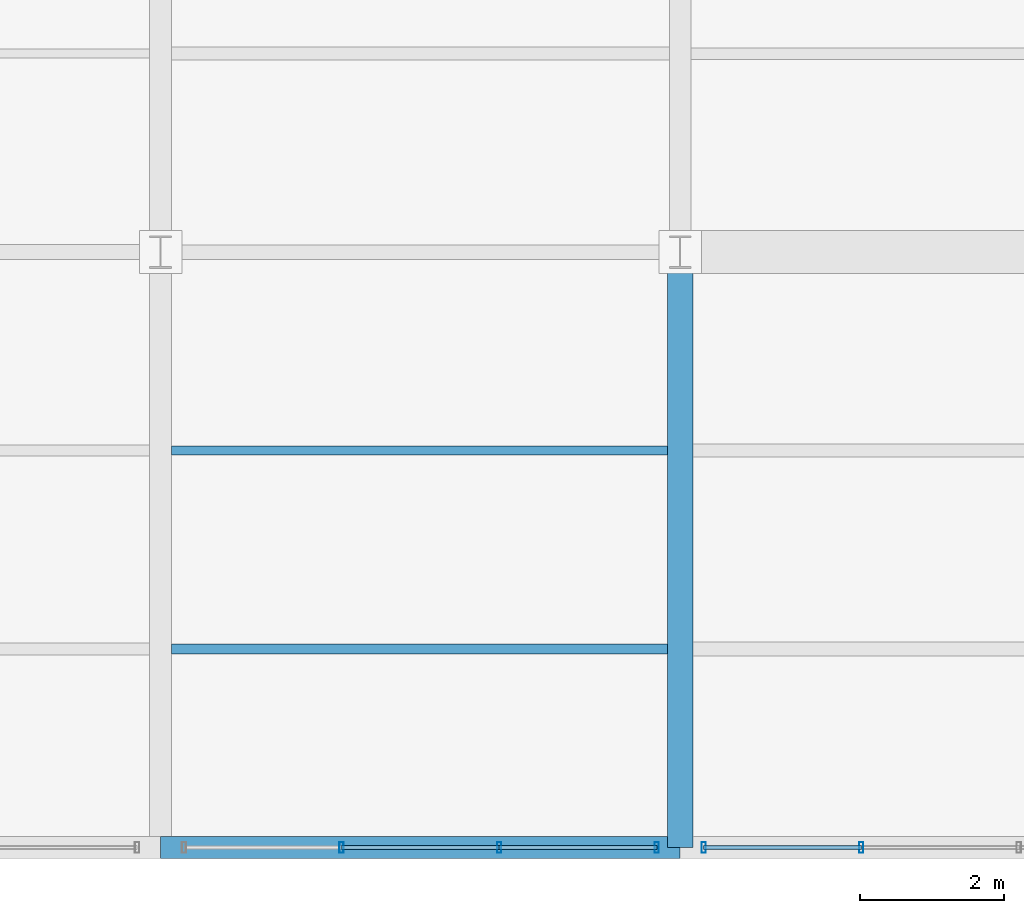
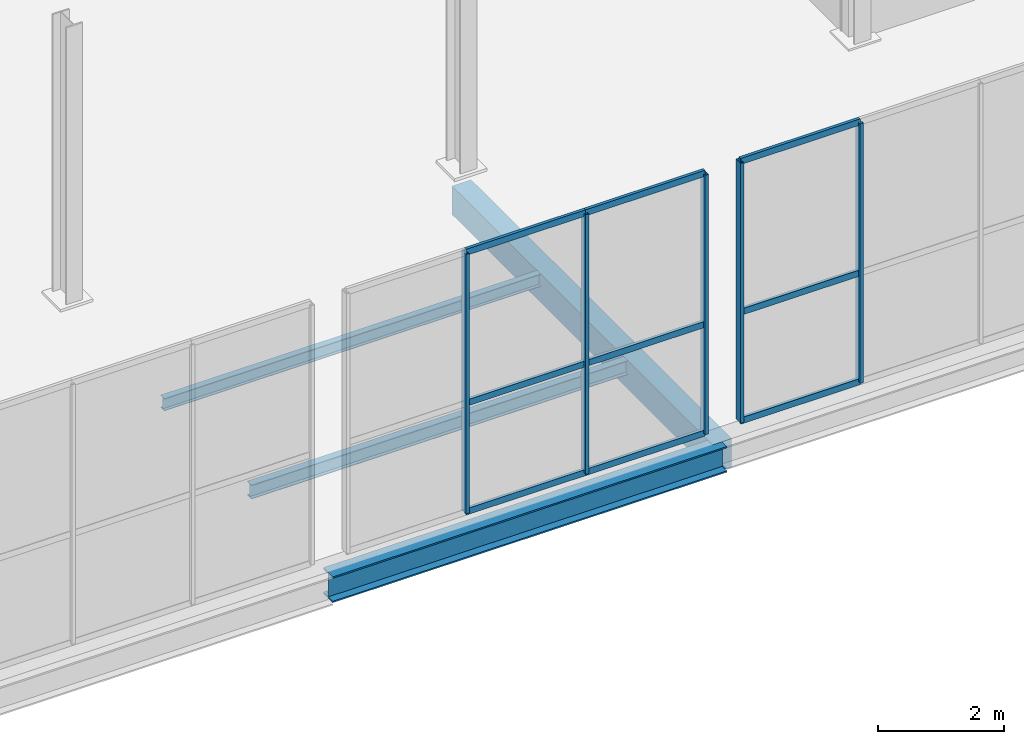
# One storey, part 30 of 147: 14 members, 4 beams, 2 elements without a shape of their own.
"""IFC4 building model written with IfcOpenShell, lengths in metres."""

from ifc_helpers import new_model, si_unit, direction, frame, origin, origin_2d, place, context, subcontext, project, spatial, rectangle, hollow_rectangle, i_section, extrude, material, layer, layer_set, material_profile, profile_set, type_object, element, aggregate, save


model = new_model("IFC4")

# Units and contexts
model_context = context("Model", 3, precision=1e-05, world=origin(), true_north=direction((0.0, 1.0)))
body_context = subcontext(model_context, "Body", "Model", "MODEL_VIEW")
ifc_project = project(units=[si_unit("LENGTHUNIT", "METRE"), si_unit("AREAUNIT", "SQUARE_METRE"), si_unit("VOLUMEUNIT", "CUBIC_METRE"), si_unit("PLANEANGLEUNIT", "RADIAN"), si_unit("MASSUNIT", "GRAM", prefix="KILO")], contexts=[model_context])

# Site, building, storey
site_placement = place(None, origin())
site = spatial("IfcSite", under=ifc_project, at=site_placement, CompositionType="ELEMENT")
building_placement = place(site_placement, origin())
building = spatial("IfcBuilding", under=site, at=building_placement, Name="Sundgate Opera House", CompositionType="ELEMENT")
storey_placement = place(building_placement, frame((0.0, 0.0, 6.0)))
storey = spatial("IfcBuildingStorey", under=building, at=storey_placement, Name="L01", CompositionType="ELEMENT", Elevation=6.0)

# Beams
ifc_material_1 = material(Name="Steel S355J2", Category="steel")
ifc_material_profile_1 = material_profile(ifc_material_1, i_section(OverallWidth=0.300048828125, OverallDepth=0.5, WebThickness=0.014404296875, FlangeThickness=0.028076171875, at=origin_2d()), Name="HEB 500")
ifc_profile_set_1 = profile_set([ifc_material_profile_1], Name="Steel S355J2")
beam_type_1 = type_object("IfcBeamType", Name="BM-GR-HEB500", PredefinedType="BEAM", material=ifc_profile_set_1)
beam_1_placement = place(storey_placement, frame((109.800048828125, 0.0, -0.550048828125), z_axis=(1.0, 0.0, 0.0), x_axis=(0.0, 1.0, 0.0)))
element("IfcBeam", 1, at=beam_1_placement, inside=storey, type_object=beam_type_1, Name="L01 Primary E-W Girder B1274", PredefinedType="BEAM", context=body_context, shape_type="SweptSolid", body=[
    extrude(i_section(OverallWidth=0.300048828125, OverallDepth=0.5, WebThickness=0.014404296875, FlangeThickness=0.028076171875, at=origin_2d()), origin(), (0.0, 0.0, 1.0), 7.199951171875),
])
ifc_material_2 = material(Name="Steel S355J2", Category="steel")
ifc_material_profile_2 = material_profile(ifc_material_2, i_section(OverallWidth=0.1201171875, OverallDepth=0.239990234375, WebThickness=0.006103515625, FlangeThickness=0.009765625, at=origin_2d()), Name="IPE 240")
ifc_profile_set_2 = profile_set([ifc_material_profile_2], Name="Steel S355J2")
beam_type_2 = type_object("IfcBeamType", Name="BM-JS-IPE240", PredefinedType="JOIST", material=ifc_profile_set_2)
beam_2_placement = place(storey_placement, frame((109.949951171875, 5.5, -0.419921875), z_axis=(1.0, 0.0, 0.0), x_axis=(0.0, 1.0, 0.0)))
element("IfcBeam", 2, at=beam_2_placement, inside=storey, type_object=beam_type_2, Name="L01 Secondary Floor Joist B1483", PredefinedType="JOIST", context=body_context, shape_type="SweptSolid", body=[
    extrude(i_section(OverallWidth=0.1201171875, OverallDepth=0.239990234375, WebThickness=0.006103515625, FlangeThickness=0.009765625, at=origin_2d()), origin(), (0.0, 0.0, 1.0), 6.875),
])
ifc_material_3 = material(Name="Steel S355J2", Category="steel")
ifc_material_profile_3 = material_profile(ifc_material_3, i_section(OverallWidth=0.135009765625, OverallDepth=0.27001953125, WebThickness=0.006591796875, FlangeThickness=0.01025390625, at=origin_2d()), Name="IPE 270")
ifc_profile_set_3 = profile_set([ifc_material_profile_3], Name="Steel S355J2")
beam_type_3 = type_object("IfcBeamType", Name="BM-JS-IPE270", PredefinedType="JOIST", material=ifc_profile_set_3)
beam_3_placement = place(storey_placement, frame((109.949951171875, 2.75, -0.43505859375), z_axis=(1.0, 0.0, 0.0), x_axis=(0.0, 1.0, 0.0)))
element("IfcBeam", 3, at=beam_3_placement, inside=storey, type_object=beam_type_3, Name="L01 Secondary Floor Joist B1482", PredefinedType="JOIST", context=body_context, shape_type="SweptSolid", body=[
    extrude(i_section(OverallWidth=0.135009765625, OverallDepth=0.27001953125, WebThickness=0.006591796875, FlangeThickness=0.01025390625, at=origin_2d()), origin(), (0.0, 0.0, 1.0), 6.875),
])
ifc_material_4 = material(Name="Concrete C35/45", Category="concrete")
ifc_material_profile_4 = material_profile(ifc_material_4, rectangle(XDim=0.35009765625, YDim=0.550048828125, at=origin_2d()), Name="RC 350x550")
ifc_profile_set_4 = profile_set([ifc_material_profile_4], Name="Concrete C35/45")
beam_type_4 = type_object("IfcBeamType", Name="BM-RC-350x550", PredefinedType="BEAM", material=ifc_profile_set_4)
beam_4_placement = place(storey_placement, frame((117.0, 0.0, -0.574951171875), z_axis=(0.0, 1.0, 0.0), x_axis=(-1.0, 0.0, 0.0)))
element("IfcBeam", 4, at=beam_4_placement, inside=storey, type_object=beam_type_4, Name="L01 Primary N-S Girder B1181", PredefinedType="BEAM", context=body_context, shape_type="SweptSolid", body=[
    extrude(rectangle(XDim=0.35009765625, YDim=0.550048828125, at=origin_2d()), origin(), (0.0, 0.0, 1.0), 8.25),
])

# Curtain wall, members
ifc_material_5 = material(Name="Anodized aluminium and low-iron glass", Category="aluminium")
ifc_layer = layer(ifc_material_5, 0.14990234375)
ifc_layer_set = layer_set([ifc_layer], Name="Anodized aluminium and low-iron glass")
curtain_wall_type = type_object("IfcCurtainWallType", Name="CW-WORKSHOP-DARK", PredefinedType="NOTDEFINED", material=ifc_layer_set)
curtain_wall_1_placement = place(storey_placement, origin())
curtain_wall_1 = element("IfcCurtainWall", 5, at=curtain_wall_1_placement, inside=storey, type_object=curtain_wall_type, Name="L01 Curtain Wall CW137", PredefinedType="NOTDEFINED")
ifc_material_6 = material(Name="Anodized aluminium EN AW-6063", Category="aluminium")
ifc_material_profile_5 = material_profile(ifc_material_6, hollow_rectangle(XDim=0.06005859375, YDim=0.14990234375, WallThickness=0.00390625, at=origin_2d()), Name="CWM 150x60x4")
ifc_profile_set_5 = profile_set([ifc_material_profile_5], Name="Anodized aluminium EN AW-6063")
member_type_1 = type_object("IfcMemberType", Name="CWM-ALU-150x60", PredefinedType="MULLION", material=ifc_profile_set_5)
member_1_placement = place(storey_placement, frame((116.675048828125, 0.0, 0.0), z_axis=(0.0, 0.0, 1.0), x_axis=(1.0, 0.0, 0.0)))
member_1 = element("IfcMember", 6, at=member_1_placement, type_object=member_type_1, Name="CW137 Mullion 1", PredefinedType="MULLION", context=body_context, shape_type="SweptSolid", body=[
    extrude(hollow_rectangle(XDim=0.06005859375, YDim=0.14990234375, WallThickness=0.00390625, at=origin_2d()), origin(), (0.0, 0.0, 1.0), 5.014892578125),
])
member_2_placement = place(storey_placement, frame((114.49169921875, 0.0, 0.0), z_axis=(0.0, 0.0, 1.0), x_axis=(1.0, 0.0, 0.0)))
member_2 = element("IfcMember", 7, at=member_2_placement, type_object=member_type_1, Name="CW137 Mullion 2", PredefinedType="MULLION", context=body_context, shape_type="SweptSolid", body=[
    extrude(hollow_rectangle(XDim=0.06005859375, YDim=0.14990234375, WallThickness=0.00390625, at=origin_2d()), origin(), (0.0, 0.0, 1.0), 5.014892578125),
])
member_3_placement = place(storey_placement, frame((112.308349609375, 0.0, 0.0), z_axis=(0.0, 0.0, 1.0), x_axis=(1.0, 0.0, 0.0)))
member_3 = element("IfcMember", 8, at=member_3_placement, type_object=member_type_1, Name="CW137 Mullion 3", PredefinedType="MULLION", context=body_context, shape_type="SweptSolid", body=[
    extrude(hollow_rectangle(XDim=0.06005859375, YDim=0.14990234375, WallThickness=0.00390625, at=origin_2d()), origin(), (0.0, 0.0, 1.0), 5.014892578125),
])

curtain_wall_2_placement = place(storey_placement, origin())
curtain_wall_2 = element("IfcCurtainWall", 9, at=curtain_wall_2_placement, inside=storey, type_object=curtain_wall_type, Name="L01 Curtain Wall CW138", PredefinedType="NOTDEFINED")
member_4_placement = place(storey_placement, frame((119.50830078125, 0.0, 0.0), z_axis=(0.0, 0.0, 1.0), x_axis=(1.0, 0.0, 0.0)))
member_4 = element("IfcMember", 10, at=member_4_placement, type_object=member_type_1, Name="CW138 Mullion 3", PredefinedType="MULLION", context=body_context, shape_type="SweptSolid", body=[
    extrude(hollow_rectangle(XDim=0.06005859375, YDim=0.14990234375, WallThickness=0.00390625, at=origin_2d()), origin(), (0.0, 0.0, 1.0), 5.014892578125),
])
member_5_placement = place(storey_placement, frame((117.324951171875, 0.0, 0.0), z_axis=(0.0, 0.0, 1.0), x_axis=(1.0, 0.0, 0.0)))
member_5 = element("IfcMember", 11, at=member_5_placement, type_object=member_type_1, Name="CW138 Mullion 4", PredefinedType="MULLION", context=body_context, shape_type="SweptSolid", body=[
    extrude(hollow_rectangle(XDim=0.06005859375, YDim=0.14990234375, WallThickness=0.00390625, at=origin_2d()), origin(), (0.0, 0.0, 1.0), 5.014892578125),
])

# Member
ifc_material_7 = material(Name="Anodized aluminium EN AW-6063", Category="aluminium")
ifc_material_profile_6 = material_profile(ifc_material_7, hollow_rectangle(XDim=0.054931640625, YDim=0.1201171875, WallThickness=0.00390625, at=origin_2d()), Name="CWT 120x55x4")
ifc_profile_set_6 = profile_set([ifc_material_profile_6], Name="Anodized aluminium EN AW-6063")
member_type_2 = type_object("IfcMemberType", Name="CWT-ALU-120x55", PredefinedType="USERDEFINED", material=ifc_profile_set_6)
member_6_placement = place(storey_placement, frame((116.675048828125, 0.0, 0.0), z_axis=(-1.0, 0.0, 0.0), x_axis=(0.0, -1.0, 0.0)))
member_6 = element("IfcMember", 12, at=member_6_placement, type_object=member_type_2, Name="CW137 Transom 1", ObjectType="TRANSOM", PredefinedType="USERDEFINED", context=body_context, shape_type="SweptSolid", body=[
    extrude(hollow_rectangle(XDim=0.054931640625, YDim=0.1201171875, WallThickness=0.00390625, at=origin_2d()), origin(), (0.0, 0.0, 1.0), 2.183349609375),
])

member_7_placement = place(storey_placement, frame((116.675048828125, 0.0, 2.10009765625), z_axis=(-1.0, 0.0, 0.0), x_axis=(0.0, -1.0, 0.0)))
member_7 = element("IfcMember", 13, at=member_7_placement, type_object=member_type_2, Name="CW137 Transom 2", ObjectType="TRANSOM", PredefinedType="USERDEFINED", context=body_context, shape_type="SweptSolid", body=[
    extrude(hollow_rectangle(XDim=0.054931640625, YDim=0.1201171875, WallThickness=0.00390625, at=origin_2d()), origin(), (0.0, 0.0, 1.0), 2.183349609375),
])

member_8_placement = place(storey_placement, frame((116.675048828125, 0.0, 5.014892578125), z_axis=(-1.0, 0.0, 0.0), x_axis=(0.0, -1.0, 0.0)))
member_8 = element("IfcMember", 14, at=member_8_placement, type_object=member_type_2, Name="CW137 Transom 3", ObjectType="TRANSOM", PredefinedType="USERDEFINED", context=body_context, shape_type="SweptSolid", body=[
    extrude(hollow_rectangle(XDim=0.054931640625, YDim=0.1201171875, WallThickness=0.00390625, at=origin_2d()), origin(), (0.0, 0.0, 1.0), 2.183349609375),
])

member_9_placement = place(storey_placement, frame((114.49169921875, 0.0, 0.0), z_axis=(-1.0, 0.0, 0.0), x_axis=(0.0, -1.0, 0.0)))
member_9 = element("IfcMember", 15, at=member_9_placement, type_object=member_type_2, Name="CW137 Transom 4", ObjectType="TRANSOM", PredefinedType="USERDEFINED", context=body_context, shape_type="SweptSolid", body=[
    extrude(hollow_rectangle(XDim=0.054931640625, YDim=0.1201171875, WallThickness=0.00390625, at=origin_2d()), origin(), (0.0, 0.0, 1.0), 2.183349609375),
])

member_10_placement = place(storey_placement, frame((114.49169921875, 0.0, 2.10009765625), z_axis=(-1.0, 0.0, 0.0), x_axis=(0.0, -1.0, 0.0)))
member_10 = element("IfcMember", 16, at=member_10_placement, type_object=member_type_2, Name="CW137 Transom 5", ObjectType="TRANSOM", PredefinedType="USERDEFINED", context=body_context, shape_type="SweptSolid", body=[
    extrude(hollow_rectangle(XDim=0.054931640625, YDim=0.1201171875, WallThickness=0.00390625, at=origin_2d()), origin(), (0.0, 0.0, 1.0), 2.183349609375),
])

member_11_placement = place(storey_placement, frame((114.49169921875, 0.0, 5.014892578125), z_axis=(-1.0, 0.0, 0.0), x_axis=(0.0, -1.0, 0.0)))
member_11 = element("IfcMember", 17, at=member_11_placement, type_object=member_type_2, Name="CW137 Transom 6", ObjectType="TRANSOM", PredefinedType="USERDEFINED", context=body_context, shape_type="SweptSolid", body=[
    extrude(hollow_rectangle(XDim=0.054931640625, YDim=0.1201171875, WallThickness=0.00390625, at=origin_2d()), origin(), (0.0, 0.0, 1.0), 2.183349609375),
])

aggregate(curtain_wall_1, [member_1, member_2, member_3, member_6, member_7, member_8, member_9, member_10, member_11])

member_12_placement = place(storey_placement, frame((119.50830078125, 0.0, 0.0), z_axis=(-1.0, 0.0, 0.0), x_axis=(0.0, -1.0, 0.0)))
member_12 = element("IfcMember", 18, at=member_12_placement, type_object=member_type_2, Name="CW138 Transom 7", ObjectType="TRANSOM", PredefinedType="USERDEFINED", context=body_context, shape_type="SweptSolid", body=[
    extrude(hollow_rectangle(XDim=0.054931640625, YDim=0.1201171875, WallThickness=0.00390625, at=origin_2d()), origin(), (0.0, 0.0, 1.0), 2.183349609375),
])

member_13_placement = place(storey_placement, frame((119.50830078125, 0.0, 2.10009765625), z_axis=(-1.0, 0.0, 0.0), x_axis=(0.0, -1.0, 0.0)))
member_13 = element("IfcMember", 19, at=member_13_placement, type_object=member_type_2, Name="CW138 Transom 8", ObjectType="TRANSOM", PredefinedType="USERDEFINED", context=body_context, shape_type="SweptSolid", body=[
    extrude(hollow_rectangle(XDim=0.054931640625, YDim=0.1201171875, WallThickness=0.00390625, at=origin_2d()), origin(), (0.0, 0.0, 1.0), 2.183349609375),
])

member_14_placement = place(storey_placement, frame((119.50830078125, 0.0, 5.014892578125), z_axis=(-1.0, 0.0, 0.0), x_axis=(0.0, -1.0, 0.0)))
member_14 = element("IfcMember", 20, at=member_14_placement, type_object=member_type_2, Name="CW138 Transom 9", ObjectType="TRANSOM", PredefinedType="USERDEFINED", context=body_context, shape_type="SweptSolid", body=[
    extrude(hollow_rectangle(XDim=0.054931640625, YDim=0.1201171875, WallThickness=0.00390625, at=origin_2d()), origin(), (0.0, 0.0, 1.0), 2.183349609375),
])

aggregate(curtain_wall_2, [member_4, member_5, member_12, member_13, member_14])

save(model, "model.ifc")
